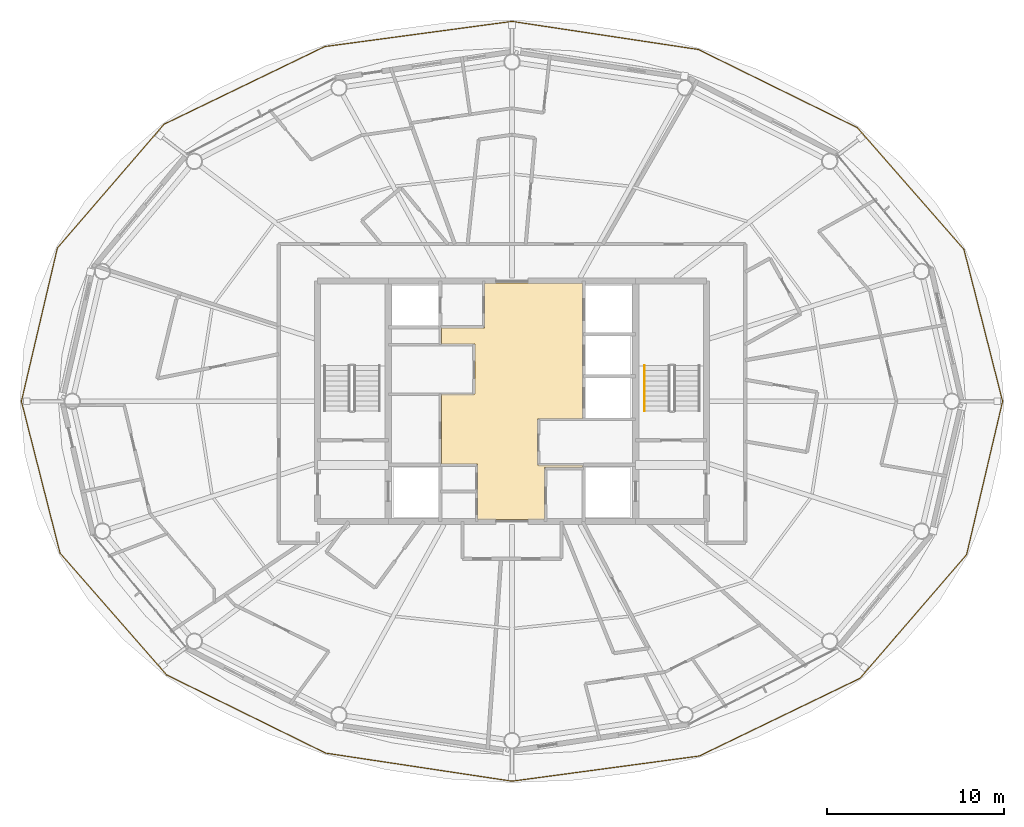
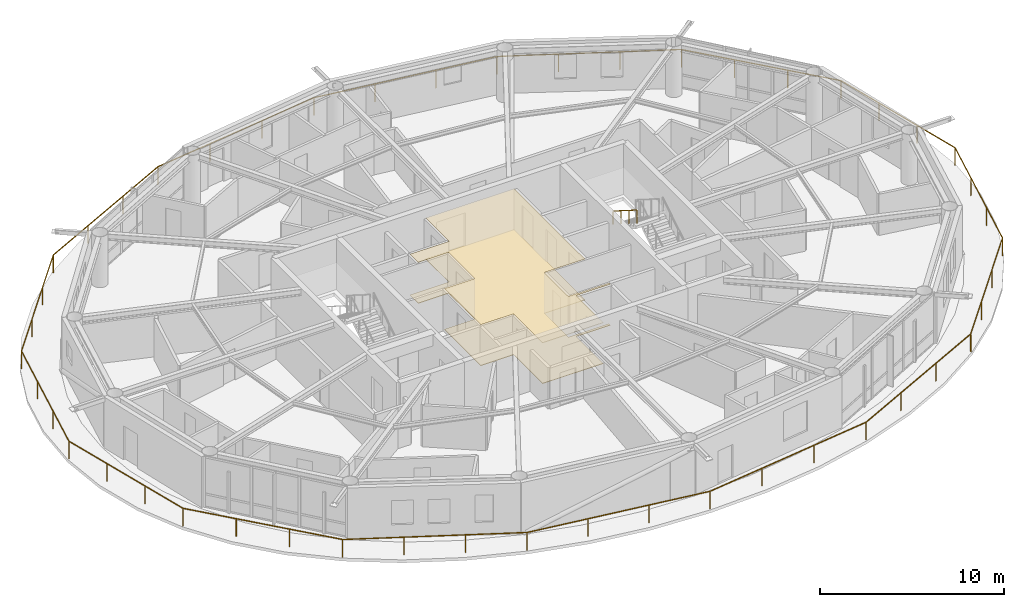
# One storey, part 21 of 22: 2 coverings, 2 railings.
"""IFC4 building model written with IfcOpenShell, lengths in metres."""

from ifc_helpers import new_model, si_unit, direction, frame, origin, origin_2d, place, context, subcontext, project, spatial, polyline, rectangle, outline, extrude, material, layer, layer_set, type_object, element, save


model = new_model("IFC4")

# Units and contexts
model_context = context("Model", 3, precision=1e-05, world=origin(), true_north=direction((0.0, 1.0)))
body_context = subcontext(model_context, "Body", "Model", "MODEL_VIEW")
ifc_project = project(units=[si_unit("LENGTHUNIT", "METRE"), si_unit("AREAUNIT", "SQUARE_METRE"), si_unit("VOLUMEUNIT", "CUBIC_METRE"), si_unit("PLANEANGLEUNIT", "RADIAN"), si_unit("MASSUNIT", "GRAM", prefix="KILO")], contexts=[model_context])

# Site, building, storey
site_placement = place(None, origin())
site = spatial("IfcSite", under=ifc_project, at=site_placement, CompositionType="ELEMENT")
building_placement = place(site_placement, origin())
building = spatial("IfcBuilding", under=site, at=building_placement, Name="Sarneth Arch Tower", CompositionType="ELEMENT")
storey_placement = place(building_placement, frame((0.0, 0.0, 294.60009765625)))
storey = spatial("IfcBuildingStorey", under=building, at=storey_placement, Name="L76", CompositionType="ELEMENT", Elevation=294.60009765625)

# Coverings
ifc_material_1 = material(Name="Perforated acoustic gypsum ceiling board")
ifc_layer_1 = layer(ifc_material_1, 0.02490234375)
ifc_layer_set_1 = layer_set([ifc_layer_1], Name="Perforated acoustic gypsum ceiling board")
covering_type_1 = type_object("IfcCoveringType", Name="COV-CEIL-GYP", PredefinedType="CEILING", material=ifc_layer_set_1)
covering_1_placement = place(storey_placement, frame((0.0, 0.0, 2.699951171875)))
element("IfcCovering", 1, at=covering_1_placement, inside=storey, type_object=covering_type_1, Name="L76 Lift lobby acoustic ceiling", PredefinedType="CEILING", context=body_context, shape_type="SweptSolid", body=[
    extrude(outline(polyline([(49.449951171875, 41.0), (49.449951171875, 38.39990234375), (52.0, 38.39990234375), (52.0, 38.25), (49.85009765625, 38.25), (49.85009765625, 35.300048828125), (46.050048828125, 35.300048828125), (46.050048828125, 38.449951171875), (44.0, 38.449951171875), (44.0, 42.39990234375), (45.89990234375, 42.39990234375), (45.89990234375, 45.25), (44.0, 45.25), (44.0, 46.14990234375), (46.449951171875, 46.14990234375), (46.449951171875, 48.699951171875), (52.0, 48.699951171875), (52.0, 41.0), (49.449951171875, 41.0)])), origin(), (0.0, 0.0, 1.0), 0.030029296875),
])
ifc_material_2 = material(Name="Honed granite stone flooring", Category="masonry")
ifc_layer_2 = layer(ifc_material_2, 0.030029296875)
ifc_layer_set_2 = layer_set([ifc_layer_2], Name="Honed granite stone flooring")
covering_type_2 = type_object("IfcCoveringType", Name="COV-FLR-STONE", PredefinedType="FLOORING", material=ifc_layer_set_2)
covering_2_placement = place(storey_placement, origin())
element("IfcCovering", 2, at=covering_2_placement, inside=storey, type_object=covering_type_2, Name="L76 Lift lobby granite flooring", PredefinedType="FLOORING", context=body_context, shape_type="SweptSolid", body=[
    extrude(outline(polyline([(49.449951171875, 41.0), (49.449951171875, 38.39990234375), (52.0, 38.39990234375), (52.0, 38.25), (49.85009765625, 38.25), (49.85009765625, 35.300048828125), (46.050048828125, 35.300048828125), (46.050048828125, 38.449951171875), (44.0, 38.449951171875), (44.0, 42.39990234375), (45.89990234375, 42.39990234375), (45.89990234375, 45.25), (44.0, 45.25), (44.0, 46.14990234375), (46.449951171875, 46.14990234375), (46.449951171875, 48.699951171875), (52.0, 48.699951171875), (52.0, 41.0), (49.449951171875, 41.0)])), origin(), (0.0, 0.0, 1.0), 0.02978515625),
])

# Railings
ifc_material_3 = material(Name="Laminated structural glass infill with Stainless Steel 316 top rail and posts", Category="steel")
railing_type_1 = type_object("IfcRailingType", Name="RAIL-BALC-1200", PredefinedType="BALUSTRADE", material=ifc_material_3)
railing_1_placement = place(storey_placement, frame((75.757080078125, 42.0, 0.0)))
element("IfcRailing", 3, at=railing_1_placement, inside=storey, type_object=railing_type_1, Name="L76 Helical balcony glass balustrade", PredefinedType="BALUSTRADE", context=body_context, shape_type="SweptSolid", body=[
    extrude(rectangle(XDim=0.048095703125, YDim=0.048095703125, at=origin_2d()), frame((0.0, 0.0, 1.17578125), z_axis=(-0.246616259681, 0.969113213438, 0.0), x_axis=(-0.969113213438, -0.246616259681, 0.0)), (0.0, 0.0, 1.0), 8.864013671875),
    extrude(rectangle(XDim=0.048095703125, YDim=0.048095703125, at=origin_2d()), frame((-2.18603515625, 8.59033203125, 1.17578125), z_axis=(-0.658521601301, 0.752561825115, 0.0), x_axis=(-0.752561825115, -0.658521601301, 0.0)), (0.0, 0.0, 1.0), 9.154052734375),
    extrude(rectangle(XDim=0.048095703125, YDim=0.048095703125, at=origin_2d()), frame((-8.214111328125, 15.479248046875, 1.17578125), z_axis=(-0.897348859716, 0.441321905151, 0.0), x_axis=(-0.441321905151, -0.897348859716, 0.0)), (0.0, 0.0, 1.0), 10.02783203125),
    extrude(rectangle(XDim=0.048095703125, YDim=0.048095703125, at=origin_2d()), frame((-17.212646484375, 19.90478515625, 1.17578125), z_axis=(-0.988837051018, 0.149000961519, 0.0), x_axis=(-0.149000961519, -0.988837051018, 0.0)), (0.0, 0.0, 1.0), 10.66357421875),
    extrude(rectangle(XDim=0.048095703125, YDim=0.048095703125, at=origin_2d()), frame((-27.757080078125, 21.49365234375, 1.17578125), z_axis=(-0.991083118086, -0.133245086381, 0.0), x_axis=(0.133245086381, -0.991083118086, 0.0)), (0.0, 0.0, 1.0), 10.691162109375),
    extrude(rectangle(XDim=0.048095703125, YDim=0.048095703125, at=origin_2d()), frame((-38.35302734375, 20.069091796875, 1.17578125), z_axis=(-0.900341691611, -0.435183683458, 0.0), x_axis=(0.435183683458, -0.900341691611, 0.0)), (0.0, 0.0, 1.0), 10.099853515625),
    extrude(rectangle(XDim=0.048095703125, YDim=0.048095703125, at=origin_2d()), frame((-47.4462890625, 15.673828125, 1.17578125), z_axis=(-0.652825673648, -0.757508178059, 0.0), x_axis=(0.757508178059, -0.652825673648, 0.0)), (0.0, 0.0, 1.0), 9.240234375),
    extrude(rectangle(XDim=0.048095703125, YDim=0.048095703125, at=origin_2d()), frame((-53.478515625, 8.67431640625, 1.17578125), z_axis=(-0.228468099339, -0.97355139956, 0.0), x_axis=(0.97355139956, -0.228468099339, 0.0)), (0.0, 0.0, 1.0), 8.909912109375),
    extrude(rectangle(XDim=0.048095703125, YDim=0.048095703125, at=origin_2d()), frame((-55.51416015625, 0.0, 1.17578125), z_axis=(0.246616259681, -0.969113213438, 0.0), x_axis=(0.969113213438, 0.246616259681, 0.0)), (0.0, 0.0, 1.0), 8.864013671875),
    extrude(rectangle(XDim=0.048095703125, YDim=0.048095703125, at=origin_2d()), frame((-53.328125, -8.59033203125, 1.17578125), z_axis=(0.658521601301, -0.752561825115, 0.0), x_axis=(0.752561825115, 0.658521601301, 0.0)), (0.0, 0.0, 1.0), 9.154052734375),
    extrude(rectangle(XDim=0.048095703125, YDim=0.048095703125, at=origin_2d()), frame((-47.300048828125, -15.479248046875, 1.17578125), z_axis=(0.897348859716, -0.441321905151, 0.0), x_axis=(0.441321905151, 0.897348859716, 0.0)), (0.0, 0.0, 1.0), 10.02783203125),
    extrude(rectangle(XDim=0.048095703125, YDim=0.048095703125, at=origin_2d()), frame((-38.301513671875, -19.90478515625, 1.17578125), z_axis=(0.988837051018, -0.149000961519, 0.0), x_axis=(0.149000961519, 0.988837051018, 0.0)), (0.0, 0.0, 1.0), 10.66357421875),
    extrude(rectangle(XDim=0.048095703125, YDim=0.048095703125, at=origin_2d()), frame((-27.757080078125, -21.49365234375, 1.17578125), z_axis=(0.991083118086, 0.133245086381, 0.0), x_axis=(-0.133245086381, 0.991083118086, 0.0)), (0.0, 0.0, 1.0), 10.691162109375),
    extrude(rectangle(XDim=0.048095703125, YDim=0.048095703125, at=origin_2d()), frame((-17.1611328125, -20.069091796875, 1.17578125), z_axis=(0.900341691611, 0.435183683458, 0.0), x_axis=(-0.435183683458, 0.900341691611, 0.0)), (0.0, 0.0, 1.0), 10.099853515625),
    extrude(rectangle(XDim=0.048095703125, YDim=0.048095703125, at=origin_2d()), frame((-8.06787109375, -15.673828125, 1.17578125), z_axis=(0.652825673648, 0.757508178059, 0.0), x_axis=(-0.757508178059, 0.652825673648, 0.0)), (0.0, 0.0, 1.0), 9.240234375),
    extrude(rectangle(XDim=0.048095703125, YDim=0.048095703125, at=origin_2d()), frame((-2.03564453125, -8.67431640625, 1.17578125), z_axis=(0.228468099339, 0.97355139956, 0.0), x_axis=(-0.97355139956, 0.228468099339, 0.0)), (0.0, 0.0, 1.0), 8.909912109375),
    extrude(rectangle(XDim=0.0419921875, YDim=0.0419921875, at=origin_2d()), origin(), (0.0, 0.0, 1.0), 1.15185546875),
    extrude(rectangle(XDim=0.0419921875, YDim=0.0419921875, at=origin_2d()), frame((-0.728759765625, 2.863525390625, 0.0)), (0.0, 0.0, 1.0), 1.15185546875),
    extrude(rectangle(XDim=0.0419921875, YDim=0.0419921875, at=origin_2d()), frame((-1.457275390625, 5.726806640625, 0.0)), (0.0, 0.0, 1.0), 1.15185546875),
    extrude(rectangle(XDim=0.0419921875, YDim=0.0419921875, at=origin_2d()), frame((-2.18603515625, 8.59033203125, 0.0)), (0.0, 0.0, 1.0), 1.15185546875),
    extrude(rectangle(XDim=0.0419921875, YDim=0.0419921875, at=origin_2d()), frame((-4.1953125, 10.88671875, 0.0)), (0.0, 0.0, 1.0), 1.15185546875),
    extrude(rectangle(XDim=0.0419921875, YDim=0.0419921875, at=origin_2d()), frame((-6.204833984375, 13.182861328125, 0.0)), (0.0, 0.0, 1.0), 1.15185546875),
    extrude(rectangle(XDim=0.0419921875, YDim=0.0419921875, at=origin_2d()), frame((-8.214111328125, 15.479248046875, 0.0)), (0.0, 0.0, 1.0), 1.15185546875),
    extrude(rectangle(XDim=0.0419921875, YDim=0.0419921875, at=origin_2d()), frame((-11.213623046875, 16.954345703125, 0.0)), (0.0, 0.0, 1.0), 1.15185546875),
    extrude(rectangle(XDim=0.0419921875, YDim=0.0419921875, at=origin_2d()), frame((-14.213134765625, 18.4296875, 0.0)), (0.0, 0.0, 1.0), 1.15185546875),
    extrude(rectangle(XDim=0.0419921875, YDim=0.0419921875, at=origin_2d()), frame((-17.212646484375, 19.90478515625, 0.0)), (0.0, 0.0, 1.0), 1.15185546875),
    extrude(rectangle(XDim=0.0419921875, YDim=0.0419921875, at=origin_2d()), frame((-20.7275390625, 20.434326171875, 0.0)), (0.0, 0.0, 1.0), 1.15185546875),
    extrude(rectangle(XDim=0.0419921875, YDim=0.0419921875, at=origin_2d()), frame((-24.2421875, 20.964111328125, 0.0)), (0.0, 0.0, 1.0), 1.15185546875),
    extrude(rectangle(XDim=0.0419921875, YDim=0.0419921875, at=origin_2d()), frame((-27.757080078125, 21.49365234375, 0.0)), (0.0, 0.0, 1.0), 1.15185546875),
    extrude(rectangle(XDim=0.0419921875, YDim=0.0419921875, at=origin_2d()), frame((-31.2890625, 21.018798828125, 0.0)), (0.0, 0.0, 1.0), 1.15185546875),
    extrude(rectangle(XDim=0.0419921875, YDim=0.0419921875, at=origin_2d()), frame((-34.821044921875, 20.5439453125, 0.0)), (0.0, 0.0, 1.0), 1.15185546875),
    extrude(rectangle(XDim=0.0419921875, YDim=0.0419921875, at=origin_2d()), frame((-38.35302734375, 20.069091796875, 0.0)), (0.0, 0.0, 1.0), 1.15185546875),
    extrude(rectangle(XDim=0.0419921875, YDim=0.0419921875, at=origin_2d()), frame((-41.384033203125, 18.60400390625, 0.0)), (0.0, 0.0, 1.0), 1.15185546875),
    extrude(rectangle(XDim=0.0419921875, YDim=0.0419921875, at=origin_2d()), frame((-44.415283203125, 17.138916015625, 0.0)), (0.0, 0.0, 1.0), 1.15185546875),
    extrude(rectangle(XDim=0.0419921875, YDim=0.0419921875, at=origin_2d()), frame((-47.4462890625, 15.673828125, 0.0)), (0.0, 0.0, 1.0), 1.15185546875),
    extrude(rectangle(XDim=0.0419921875, YDim=0.0419921875, at=origin_2d()), frame((-49.45703125, 13.340576171875, 0.0)), (0.0, 0.0, 1.0), 1.15185546875),
    extrude(rectangle(XDim=0.0419921875, YDim=0.0419921875, at=origin_2d()), frame((-51.4677734375, 11.007568359375, 0.0)), (0.0, 0.0, 1.0), 1.15185546875),
    extrude(rectangle(XDim=0.0419921875, YDim=0.0419921875, at=origin_2d()), frame((-53.478515625, 8.67431640625, 0.0)), (0.0, 0.0, 1.0), 1.15185546875),
    extrude(rectangle(XDim=0.0419921875, YDim=0.0419921875, at=origin_2d()), frame((-54.156982421875, 5.782958984375, 0.0)), (0.0, 0.0, 1.0), 1.15185546875),
    extrude(rectangle(XDim=0.0419921875, YDim=0.0419921875, at=origin_2d()), frame((-54.835693359375, 2.891357421875, 0.0)), (0.0, 0.0, 1.0), 1.15185546875),
    extrude(rectangle(XDim=0.0419921875, YDim=0.0419921875, at=origin_2d()), frame((-55.51416015625, 0.0, 0.0)), (0.0, 0.0, 1.0), 1.15185546875),
    extrude(rectangle(XDim=0.0419921875, YDim=0.0419921875, at=origin_2d()), frame((-54.785400390625, -2.863525390625, 0.0)), (0.0, 0.0, 1.0), 1.15185546875),
    extrude(rectangle(XDim=0.0419921875, YDim=0.0419921875, at=origin_2d()), frame((-54.056884765625, -5.726806640625, 0.0)), (0.0, 0.0, 1.0), 1.15185546875),
    extrude(rectangle(XDim=0.0419921875, YDim=0.0419921875, at=origin_2d()), frame((-53.328125, -8.59033203125, 0.0)), (0.0, 0.0, 1.0), 1.15185546875),
    extrude(rectangle(XDim=0.0419921875, YDim=0.0419921875, at=origin_2d()), frame((-51.31884765625, -10.88671875, 0.0)), (0.0, 0.0, 1.0), 1.15185546875),
    extrude(rectangle(XDim=0.0419921875, YDim=0.0419921875, at=origin_2d()), frame((-49.309326171875, -13.182861328125, 0.0)), (0.0, 0.0, 1.0), 1.15185546875),
    extrude(rectangle(XDim=0.0419921875, YDim=0.0419921875, at=origin_2d()), frame((-47.300048828125, -15.479248046875, 0.0)), (0.0, 0.0, 1.0), 1.15185546875),
    extrude(rectangle(XDim=0.0419921875, YDim=0.0419921875, at=origin_2d()), frame((-44.300537109375, -16.954345703125, 0.0)), (0.0, 0.0, 1.0), 1.15185546875),
    extrude(rectangle(XDim=0.0419921875, YDim=0.0419921875, at=origin_2d()), frame((-41.301025390625, -18.4296875, 0.0)), (0.0, 0.0, 1.0), 1.15185546875),
    extrude(rectangle(XDim=0.0419921875, YDim=0.0419921875, at=origin_2d()), frame((-38.301513671875, -19.90478515625, 0.0)), (0.0, 0.0, 1.0), 1.15185546875),
    extrude(rectangle(XDim=0.0419921875, YDim=0.0419921875, at=origin_2d()), frame((-34.78662109375, -20.434326171875, 0.0)), (0.0, 0.0, 1.0), 1.15185546875),
    extrude(rectangle(XDim=0.0419921875, YDim=0.0419921875, at=origin_2d()), frame((-31.27197265625, -20.964111328125, 0.0)), (0.0, 0.0, 1.0), 1.15185546875),
    extrude(rectangle(XDim=0.0419921875, YDim=0.0419921875, at=origin_2d()), frame((-27.757080078125, -21.49365234375, 0.0)), (0.0, 0.0, 1.0), 1.15185546875),
    extrude(rectangle(XDim=0.0419921875, YDim=0.0419921875, at=origin_2d()), frame((-24.22509765625, -21.018798828125, 0.0)), (0.0, 0.0, 1.0), 1.15185546875),
    extrude(rectangle(XDim=0.0419921875, YDim=0.0419921875, at=origin_2d()), frame((-20.693115234375, -20.5439453125, 0.0)), (0.0, 0.0, 1.0), 1.15185546875),
    extrude(rectangle(XDim=0.0419921875, YDim=0.0419921875, at=origin_2d()), frame((-17.1611328125, -20.069091796875, 0.0)), (0.0, 0.0, 1.0), 1.15185546875),
    extrude(rectangle(XDim=0.0419921875, YDim=0.0419921875, at=origin_2d()), frame((-14.130126953125, -18.60400390625, 0.0)), (0.0, 0.0, 1.0), 1.15185546875),
    extrude(rectangle(XDim=0.0419921875, YDim=0.0419921875, at=origin_2d()), frame((-11.098876953125, -17.138916015625, 0.0)), (0.0, 0.0, 1.0), 1.15185546875),
    extrude(rectangle(XDim=0.0419921875, YDim=0.0419921875, at=origin_2d()), frame((-8.06787109375, -15.673828125, 0.0)), (0.0, 0.0, 1.0), 1.15185546875),
    extrude(rectangle(XDim=0.0419921875, YDim=0.0419921875, at=origin_2d()), frame((-6.05712890625, -13.340576171875, 0.0)), (0.0, 0.0, 1.0), 1.15185546875),
    extrude(rectangle(XDim=0.0419921875, YDim=0.0419921875, at=origin_2d()), frame((-4.04638671875, -11.007568359375, 0.0)), (0.0, 0.0, 1.0), 1.15185546875),
    extrude(rectangle(XDim=0.0419921875, YDim=0.0419921875, at=origin_2d()), frame((-2.03564453125, -8.67431640625, 0.0)), (0.0, 0.0, 1.0), 1.15185546875),
    extrude(rectangle(XDim=0.0419921875, YDim=0.0419921875, at=origin_2d()), frame((-1.357177734375, -5.782958984375, 0.0)), (0.0, 0.0, 1.0), 1.15185546875),
    extrude(rectangle(XDim=0.0419921875, YDim=0.0419921875, at=origin_2d()), frame((-0.678466796875, -2.891357421875, 0.0)), (0.0, 0.0, 1.0), 1.15185546875),
])
ifc_material_4 = material(Name="Brushed Stainless Steel 304 tubular handrail", Category="steel")
railing_type_2 = type_object("IfcRailingType", Name="RAIL-HANDRAIL-900", PredefinedType="HANDRAIL", material=ifc_material_4)
railing_2_placement = place(storey_placement, frame((55.5, 44.014892578125, 1.97998046875)))
element("IfcRailing", 4, at=railing_2_placement, inside=storey, type_object=railing_type_2, Name="L76 ST-2 stair handrail 2", PredefinedType="HANDRAIL", context=body_context, shape_type="SweptSolid", body=[
    extrude(rectangle(XDim=0.048095703125, YDim=0.048095703125, at=origin_2d()), frame((0.0, 0.0, 0.8759765625), z_axis=(0.0, -0.845502289212, 0.533971796014), x_axis=(1.0, 0.0, 0.0)), (0.0, 0.0, 1.0), 3.03369140625),
    extrude(rectangle(XDim=0.0419921875, YDim=0.0419921875, at=origin_2d()), origin(), (0.0, 0.0, 1.0), 0.851806640625),
    extrude(rectangle(XDim=0.0419921875, YDim=0.0419921875, at=origin_2d()), frame((0.0, -0.85498046875, 0.5400390625)), (0.0, 0.0, 1.0), 0.851806640625),
    extrude(rectangle(XDim=0.0419921875, YDim=0.0419921875, at=origin_2d()), frame((0.0, -1.7099609375, 1.079833984375)), (0.0, 0.0, 1.0), 0.851806640625),
    extrude(rectangle(XDim=0.0419921875, YDim=0.0419921875, at=origin_2d()), frame((0.0, -2.56494140625, 1.619873046875)), (0.0, 0.0, 1.0), 0.851806640625),
])

save(model, "model.ifc")
